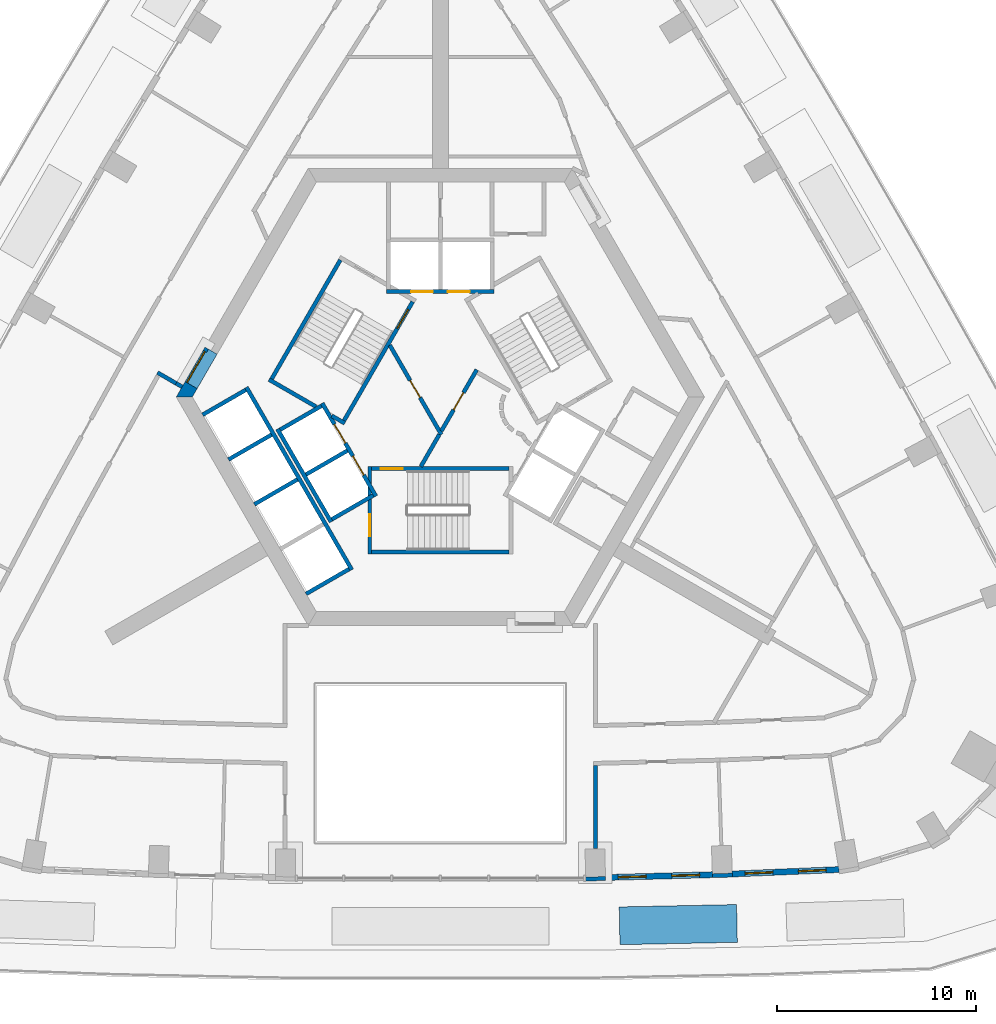
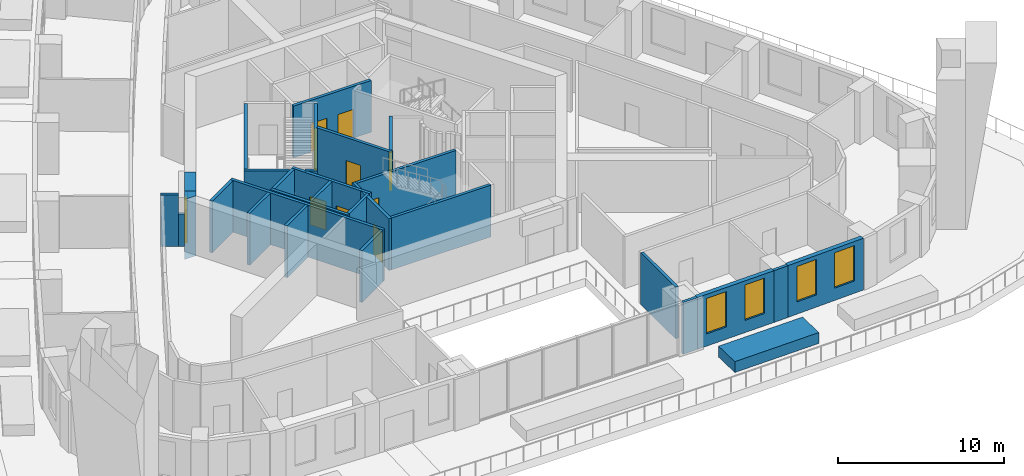
# One storey, part 5 of 13: 32 walls, 10 doors, 4 windows, 14 openings.
"""IFC4 building model written with IfcOpenShell, lengths in metres."""

from ifc_helpers import new_model, si_unit, direction, frame, frame_2d, origin, place, context, subcontext, project, spatial, polyline, rectangle, outline, extrude, material, layer, layer_set, type_object, element, fill, save


model = new_model("IFC4")

# Units and contexts
model_context = context("Model", 3, precision=1e-05, world=origin(), true_north=direction((0.0, 1.0)))
body_context = subcontext(model_context, "Body", "Model", "MODEL_VIEW")
ifc_project = project(units=[si_unit("LENGTHUNIT", "METRE"), si_unit("AREAUNIT", "SQUARE_METRE"), si_unit("VOLUMEUNIT", "CUBIC_METRE"), si_unit("PLANEANGLEUNIT", "RADIAN"), si_unit("MASSUNIT", "GRAM", prefix="KILO")], contexts=[model_context])

# Site, building, storey
site_placement = place(None, origin())
site = spatial("IfcSite", under=ifc_project, at=site_placement, CompositionType="ELEMENT")
building_placement = place(site_placement, origin())
building = spatial("IfcBuilding", under=site, at=building_placement, Name="Entoto Arch Interchange Tower", CompositionType="ELEMENT")
storey_placement = place(building_placement, frame((0.0, 0.0, 189.800048828125)))
storey = spatial("IfcBuildingStorey", under=building, at=storey_placement, Name="L42", CompositionType="ELEMENT", Elevation=189.800048828125)

# Wall, opening, door
ifc_material_1 = material(Name="Reinforced concrete C40/50", Category="concrete")
ifc_layer_1 = layer(ifc_material_1, 0.199951171875)
ifc_layer_set_1 = layer_set([ifc_layer_1], Name="Reinforced concrete C40/50")
wall_type_1 = type_object("IfcWallType", Name="CORE GAP INFILL WALL", PredefinedType="PARTITIONING", material=ifc_layer_set_1)
wall_1_placement = place(storey_placement, frame((-11.7470703125, 4.951904296875, 0.0), z_axis=(0.0, 0.0, 1.0), x_axis=(-0.50002537861, -0.866010750942, 0.0)))
wall_1 = element("IfcWall", 1, at=wall_1_placement, inside=storey, type_object=wall_type_1, Name="wall:L42:gap3", PredefinedType="PARTITIONING", context=body_context, shape_type="SweptSolid", body=[
    extrude(rectangle(XDim=2.0, YDim=0.199951171875, at=frame_2d((1.0, 0.0))), origin(), (0.0, 0.0, 1.0), 2.39990234375),
])
opening_1_placement = place(wall_1_placement, frame((0.18994140625, 0.0, 0.0)))
opening_1 = element("IfcOpeningElement", 2, at=opening_1_placement, cuts=wall_1, Name="Opening L42-D93", PredefinedType="OPENING", context=body_context, shape_type="SweptSolid", body=[
    extrude(rectangle(XDim=1.800048828125, YDim=2.10009765625, at=frame_2d((0.89990234375, 1.050048828125))), frame((0.0, 0.10986328125, 0.0), z_axis=(0.0, -1.0, 0.0), x_axis=(1.0, 0.0, 0.0)), (0.0, 0.0, 1.0), 0.219970703125),
])
ifc_material_2 = material(Name="Fire-rated Steel S235 door and frame", Category="steel")
door_type_1 = type_object("IfcDoorType", Name="DOOR FD-18 1800x2100", OperationType="DOUBLE_DOOR_SINGLE_SWING", PredefinedType="DOOR", material=ifc_material_2)
door_1_placement = place(opening_1_placement, origin())
door_1 = element("IfcDoor", 3, at=door_1_placement, inside=storey, type_object=door_type_1, Name="door:L42:gap3", OperationType="DOUBLE_DOOR_SINGLE_SWING", OverallHeight=2.10009765625, OverallWidth=1.800048828125, PredefinedType="DOOR", context=body_context, shape_type="SweptSolid", body=[
    extrude(rectangle(XDim=1.800048828125, YDim=2.10009765625, at=frame_2d((0.89990234375, 1.050048828125))), frame((0.0, 0.02490234375, 0.0), z_axis=(0.0, -1.0, 0.0), x_axis=(1.0, 0.0, 0.0)), (0.0, 0.0, 1.0), 0.050048828125),
])
fill(opening_1, door_1)

# Walls
ifc_material_3 = material(Name="Concrete C50/60", Category="concrete")
ifc_layer_2 = layer(ifc_material_3, 0.699951171875)
ifc_layer_set_2 = layer_set([ifc_layer_2], Name="Concrete C50/60")
wall_type_2 = type_object("IfcWallType", Name="Core wall 700 C50/60", PredefinedType="SHEAR", material=ifc_layer_set_2)
wall_2_placement = place(storey_placement, frame((0.0, 0.0, -0.60009765625)))
element("IfcWall", 4, at=wall_2_placement, inside=storey, type_object=wall_type_2, Name="Core wall NW L42", PredefinedType="SHEAR", context=body_context, shape_type="SweptSolid", body=[
    extrude(outline(polyline([(-12.22802734375, 2.919921875), (-12.833984375, 3.27001953125), (-13.279052734375, 2.5), (-12.470947265625, 2.5), (-12.22802734375, 2.919921875)])), origin(), (0.0, 0.0, 1.0), 4.400146484375),
])
wall_3_placement = place(storey_placement, frame((0.0, 0.0, 3.599853515625)))
element("IfcWall", 5, at=wall_3_placement, inside=storey, type_object=wall_type_2, Name="Core wall lintel NW L42", PredefinedType="SHEAR", context=body_context, shape_type="SweptSolid", body=[
    extrude(outline(polyline([(-12.833984375, 3.27001953125), (-12.22802734375, 2.919921875), (-11.22802734375, 4.652099609375), (-11.833984375, 5.001953125), (-12.833984375, 3.27001953125)])), origin(), (0.0, 0.0, 1.0), 0.2001953125),
])

# Wall, openings, doors
ifc_material_4 = material(Name="Concrete C40/50", Category="concrete")
ifc_layer_3 = layer(ifc_material_4, 0.199951171875)
ifc_layer_set_3 = layer_set([ifc_layer_3], Name="Concrete C40/50")
wall_type_3 = type_object("IfcWallType", Name="LIFT SHAFT WALL 200", PredefinedType="STANDARD", material=ifc_layer_set_3)
wall_4_placement = place(storey_placement, frame((2.699951171875, 7.800048828125, 0.0), z_axis=(0.0, 0.0, 1.0), x_axis=(-1.0, 0.0, 0.0)))
wall_4 = element("IfcWall", 6, at=wall_4_placement, inside=storey, type_object=wall_type_3, Name="Shaft wall N1 front", PredefinedType="STANDARD", context=body_context, shape_type="SweptSolid", body=[
    extrude(rectangle(XDim=5.39990234375, YDim=0.199951171875, at=frame_2d((2.699951171875, 0.0))), origin(), (0.0, 0.0, 1.0), 3.800048828125),
])
opening_2_placement = place(wall_4_placement, frame((1.22509765625, 0.0, 0.0)))
opening_2 = element("IfcOpeningElement", 7, at=opening_2_placement, cuts=wall_4, Name="Opening LD-HR1-L42", PredefinedType="OPENING", context=body_context, shape_type="SweptSolid", body=[
    extrude(rectangle(XDim=1.10009765625, YDim=2.10009765625, at=frame_2d((0.550048828125, 1.050048828125))), frame((0.0, 0.10986328125, 0.0), z_axis=(0.0, -1.0, 0.0), x_axis=(1.0, 0.0, 0.0)), (0.0, 0.0, 1.0), 0.219970703125),
])
opening_3_placement = place(wall_4_placement, frame((3.074951171875, 0.0, 0.0)))
opening_3 = element("IfcOpeningElement", 8, at=opening_3_placement, cuts=wall_4, Name="Opening LD-HR2-L42", PredefinedType="OPENING", context=body_context, shape_type="SweptSolid", body=[
    extrude(rectangle(XDim=1.10009765625, YDim=2.10009765625, at=frame_2d((0.550048828125, 1.050048828125))), frame((0.0, 0.10986328125, 0.0), z_axis=(0.0, -1.0, 0.0), x_axis=(1.0, 0.0, 0.0)), (0.0, 0.0, 1.0), 0.219970703125),
])
ifc_material_5 = material(Name="Stainless steel 1.4301 panels", Category="steel")
door_type_2 = type_object("IfcDoorType", Name="LIFT LANDING DOOR LD1 1100x2100", OperationType="SLIDING_TO_LEFT", PredefinedType="DOOR", material=ifc_material_5)
door_2_placement = place(opening_2_placement, origin())
door_2 = element("IfcDoor", 9, at=door_2_placement, inside=storey, type_object=door_type_2, Name="Lift landing door HR1 L42", OperationType="SLIDING_TO_LEFT", OverallHeight=2.10009765625, OverallWidth=1.10009765625, PredefinedType="DOOR", context=body_context, shape_type="SweptSolid", body=[
    extrude(rectangle(XDim=1.10009765625, YDim=2.10009765625, at=frame_2d((0.550048828125, 1.050048828125))), frame((0.0, 0.02490234375, 0.0), z_axis=(0.0, -1.0, 0.0), x_axis=(1.0, 0.0, 0.0)), (0.0, 0.0, 1.0), 0.050048828125),
])
fill(opening_2, door_2)
door_3_placement = place(opening_3_placement, origin())
door_3 = element("IfcDoor", 10, at=door_3_placement, inside=storey, type_object=door_type_2, Name="Lift landing door HR2 L42", OperationType="SLIDING_TO_LEFT", OverallHeight=2.10009765625, OverallWidth=1.10009765625, PredefinedType="DOOR", context=body_context, shape_type="SweptSolid", body=[
    extrude(rectangle(XDim=1.10009765625, YDim=2.10009765625, at=frame_2d((0.550048828125, 1.050048828125))), frame((0.0, 0.02490234375, 0.0), z_axis=(0.0, -1.0, 0.0), x_axis=(1.0, 0.0, 0.0)), (0.0, 0.0, 1.0), 0.050048828125),
])
fill(opening_3, door_3)

wall_5_placement = place(storey_placement, frame((-5.93994140625, 2.18798828125, 0.0), z_axis=(0.0, 0.0, 1.0), x_axis=(0.500034260056, -0.866005622828, 0.0)))
wall_5 = element("IfcWall", 11, at=wall_5_placement, inside=storey, type_object=wall_type_3, Name="Shaft wall SW1 front", PredefinedType="STANDARD", context=body_context, shape_type="SweptSolid", body=[
    extrude(rectangle(XDim=5.3994140625, YDim=0.199951171875, at=frame_2d((2.69970703125, 0.0))), origin(), (0.0, 0.0, 1.0), 3.800048828125),
])
opening_4_placement = place(wall_5_placement, frame((3.074951171875, 0.0, 0.0)))
opening_4 = element("IfcOpeningElement", 12, at=opening_4_placement, cuts=wall_5, Name="Opening LD-HR4-L42", PredefinedType="OPENING", context=body_context, shape_type="SweptSolid", body=[
    extrude(rectangle(XDim=1.10009765625, YDim=2.10009765625, at=frame_2d((0.550048828125, 1.050048828125))), frame((0.0, 0.10986328125, 0.0), z_axis=(0.0, -1.0, 0.0), x_axis=(1.0, 0.0, 0.0)), (0.0, 0.0, 1.0), 0.219970703125),
])
opening_5_placement = place(wall_5_placement, frame((1.22509765625, 0.0, 0.0)))
opening_5 = element("IfcOpeningElement", 13, at=opening_5_placement, cuts=wall_5, Name="Opening LD-FF2-L42", PredefinedType="OPENING", context=body_context, shape_type="SweptSolid", body=[
    extrude(rectangle(XDim=1.10009765625, YDim=2.10009765625, at=frame_2d((0.550048828125, 1.050048828125))), frame((0.0, 0.10986328125, 0.0), z_axis=(0.0, -1.0, 0.0), x_axis=(1.0, 0.0, 0.0)), (0.0, 0.0, 1.0), 0.219970703125),
])
door_4_placement = place(opening_4_placement, origin())
door_4 = element("IfcDoor", 14, at=door_4_placement, inside=storey, type_object=door_type_2, Name="Lift landing door HR4 L42", OperationType="SLIDING_TO_LEFT", OverallHeight=2.10009765625, OverallWidth=1.10009765625, PredefinedType="DOOR", context=body_context, shape_type="SweptSolid", body=[
    extrude(rectangle(XDim=1.10009765625, YDim=2.10009765625, at=frame_2d((0.550048828125, 1.050048828125))), frame((0.0, 0.02490234375, 0.0), z_axis=(0.0, -1.0, 0.0), x_axis=(1.0, 0.0, 0.0)), (0.0, 0.0, 1.0), 0.050048828125),
])
fill(opening_4, door_4)
door_5_placement = place(opening_5_placement, origin())
door_5 = element("IfcDoor", 15, at=door_5_placement, inside=storey, type_object=door_type_2, Name="Lift landing door FF2 L42", OperationType="SLIDING_TO_LEFT", OverallHeight=2.10009765625, OverallWidth=1.10009765625, PredefinedType="DOOR", context=body_context, shape_type="SweptSolid", body=[
    extrude(rectangle(XDim=1.10009765625, YDim=2.10009765625, at=frame_2d((0.550048828125, 1.050048828125))), frame((0.0, 0.02490234375, 0.0), z_axis=(0.0, -1.0, 0.0), x_axis=(1.0, 0.0, 0.0)), (0.0, 0.0, 1.0), 0.050048828125),
])
fill(opening_5, door_5)

# Walls
wall_6_placement = place(storey_placement, frame((-8.19189453125, 0.887939453125, 0.0), z_axis=(0.0, 0.0, 1.0), x_axis=(0.500034260056, -0.866005622828, 0.0)))
element("IfcWall", 16, at=wall_6_placement, inside=storey, type_object=wall_type_3, Name="Shaft wall SW1 back", PredefinedType="STANDARD", context=body_context, shape_type="SweptSolid", body=[
    extrude(rectangle(XDim=5.3994140625, YDim=0.199951171875, at=frame_2d((2.69970703125, 0.0))), origin(), (0.0, 0.0, 1.0), 3.800048828125),
])
for number, where, z_axis, x_axis, name in (
    (17, (-5.97705078125, 2.052001953125, 0.0), (0.0, 0.0, 1.0), (-0.865973769406, -0.500089422704, 0.0), "Shaft wall SW1 cross 1"),
    (18, (-4.677001953125, -0.199951171875, 0.0), (0.0, 0.0, 1.0), (-0.865973769406, -0.500089422704, 0.0), "Shaft wall SW1 cross 2"),
):
    element("IfcWall", number, at=place(storey_placement, frame(where, z_axis=z_axis, x_axis=x_axis)), inside=storey, type_object=wall_type_3, Name=name, PredefinedType="STANDARD", context=body_context, shape_type="SweptSolid", body=[
        extrude(rectangle(XDim=2.3994140625, YDim=0.199951171875, at=frame_2d((1.19970703125, 0.0))), origin(), (0.0, 0.0, 1.0), 3.800048828125),
    ])
wall_7_placement = place(storey_placement, frame((-3.376953125, -2.451904296875, 0.0), z_axis=(0.0, 0.0, 1.0), x_axis=(-0.865955154139, -0.50012165622, 0.0)))
element("IfcWall", 19, at=wall_7_placement, inside=storey, type_object=wall_type_3, Name="Shaft wall SW1 cross 3", PredefinedType="STANDARD", context=body_context, shape_type="SweptSolid", body=[
    extrude(rectangle(XDim=2.39990234375, YDim=0.199951171875, at=frame_2d((1.199951171875, 0.0))), origin(), (0.0, 0.0, 1.0), 3.800048828125),
])
wall_8_placement = place(storey_placement, frame((-9.7509765625, 2.989990234375, 0.0), z_axis=(0.0, 0.0, 1.0), x_axis=(0.50000090737, -0.866024879913, 0.0)))
element("IfcWall", 20, at=wall_8_placement, inside=storey, type_object=wall_type_3, Name="Shaft wall SW3 front", PredefinedType="STANDARD", context=body_context, shape_type="SweptSolid", body=[
    extrude(rectangle(XDim=10.60009765625, YDim=0.199951171875, at=frame_2d((5.300048828125, 0.0))), origin(), (0.0, 0.0, 1.0), 3.800048828125),
])
wall_9_placement = place(storey_placement, frame((-9.7880859375, 2.85302734375, 0.0), z_axis=(0.0, 0.0, 1.0), x_axis=(-0.865998541277, -0.500046524342, 0.0)))
element("IfcWall", 21, at=wall_9_placement, inside=storey, type_object=wall_type_3, Name="Shaft wall SW3 cross 1", PredefinedType="STANDARD", context=body_context, shape_type="SweptSolid", body=[
    extrude(rectangle(XDim=2.499755859375, YDim=0.199951171875, at=frame_2d((1.25, 0.0))), origin(), (0.0, 0.0, 1.0), 3.800048828125),
])
for number, where, z_axis, x_axis, name in (
    (22, (-8.488037109375, 0.60205078125, 0.0), (0.0, 0.0, 1.0), (-0.866022959057, -0.500004234368, 0.0), "Shaft wall SW3 cross 2"),
    (23, (-7.18798828125, -1.64990234375, 0.0), (0.0, 0.0, 1.0), (-0.866022959057, -0.500004234368, 0.0), "Shaft wall SW3 cross 3"),
    (24, (-4.587890625, -6.153076171875, 0.0), (0.0, 0.0, 1.0), (-0.866022959057, -0.500004234368, 0.0), "Shaft wall SW3 cross 5"),
):
    element("IfcWall", number, at=place(storey_placement, frame(where, z_axis=z_axis, x_axis=x_axis)), inside=storey, type_object=wall_type_3, Name=name, PredefinedType="STANDARD", context=body_context, shape_type="SweptSolid", body=[
        extrude(rectangle(XDim=2.5, YDim=0.199951171875, at=frame_2d((1.25, 0.0))), origin(), (0.0, 0.0, 1.0), 3.800048828125),
    ])
ifc_material_6 = material(Name="Gypsum board partition on steel studs", Category="steel")
ifc_layer_4 = layer(ifc_material_6, 0.199951171875)
ifc_layer_set_4 = layer_set([ifc_layer_4], Name="Gypsum board partition on steel studs")
wall_type_4 = type_object("IfcWallType", Name="PARTITION 200", PredefinedType="PARTITIONING", material=ifc_layer_set_4)
wall_10_placement = place(storey_placement, frame((-12.98388671875, 3.010009765625, 0.0), z_axis=(0.0, 0.0, 1.0), x_axis=(-0.866046247233, 0.49996389635, 0.0)))
element("IfcWall", 25, at=wall_10_placement, inside=storey, type_object=wall_type_4, Name="wall:L42:p033", PredefinedType="PARTITIONING", context=body_context, shape_type="SweptSolid", body=[
    extrude(rectangle(XDim=0.35009765625, YDim=0.199951171875, at=frame_2d((0.175048828125, 0.0))), origin(), (0.0, 0.0, 1.0), 2.39990234375),
])
wall_11_placement = place(storey_placement, frame((-0.98193359375, -1.0, 0.0), z_axis=(0.0, 0.0, 1.0), x_axis=(0.50024047865, 0.865886518847, 0.0)))
element("IfcWall", 26, at=wall_11_placement, inside=storey, type_object=wall_type_4, Name="wall:L42:p082", PredefinedType="PARTITIONING", context=body_context, shape_type="SweptSolid", body=[
    extrude(rectangle(XDim=1.86279296875, YDim=0.199951171875, at=frame_2d((0.931396484375, 0.0))), origin(), (0.0, 0.0, 1.0), 3.800048828125),
])

# Wall, opening, door
wall_12_placement = place(storey_placement, frame((0.050048828125, 0.787109375, 0.0), z_axis=(0.0, 0.0, 1.0), x_axis=(0.499954076797, 0.866051915934, 0.0)))
wall_12 = element("IfcWall", 27, at=wall_12_placement, inside=storey, type_object=wall_type_4, Name="wall:L42:p083", PredefinedType="PARTITIONING", context=body_context, shape_type="SweptSolid", body=[
    extrude(rectangle(XDim=3.558349609375, YDim=0.199951171875, at=frame_2d((1.779296875, 0.0))), origin(), (0.0, 0.0, 1.0), 3.800048828125),
])
opening_6_placement = place(wall_12_placement, frame((1.22900390625, 0.0, 0.0)))
opening_6 = element("IfcOpeningElement", 28, at=opening_6_placement, cuts=wall_12, Name="Opening L42-D28", PredefinedType="OPENING", context=body_context, shape_type="SweptSolid", body=[
    extrude(rectangle(XDim=1.0, YDim=2.10009765625, at=frame_2d((0.5, 1.050048828125))), frame((0.0, 0.10986328125, 0.0), z_axis=(0.0, -1.0, 0.0), x_axis=(1.0, 0.0, 0.0)), (0.0, 0.0, 1.0), 0.219970703125),
])
door_type_3 = type_object("IfcDoorType", Name="DOOR FD-10 1000x2100", OperationType="SINGLE_SWING_LEFT", PredefinedType="DOOR", material=ifc_material_2)
door_6_placement = place(opening_6_placement, origin())
door_6 = element("IfcDoor", 29, at=door_6_placement, inside=storey, type_object=door_type_3, Name="door:L42:28", OperationType="SINGLE_SWING_RIGHT", OverallHeight=2.10009765625, OverallWidth=1.0, PredefinedType="DOOR", context=body_context, shape_type="SweptSolid", body=[
    extrude(rectangle(XDim=1.0, YDim=2.10009765625, at=frame_2d((0.5, 1.050048828125))), frame((0.0, 0.02490234375, 0.0), z_axis=(0.0, -1.0, 0.0), x_axis=(1.0, 0.0, 0.0)), (0.0, 0.0, 1.0), 0.050048828125),
])
fill(opening_6, door_6)

wall_13_placement = place(storey_placement, frame((-2.5400390625, 5.10009765625, 0.0), z_axis=(0.0, 0.0, 1.0), x_axis=(0.499925051871, -0.866068670783, 0.0)))
wall_13 = element("IfcWall", 30, at=wall_13_placement, inside=storey, type_object=wall_type_4, Name="wall:L42:p093", PredefinedType="PARTITIONING", context=body_context, shape_type="SweptSolid", body=[
    extrude(rectangle(XDim=5.180908203125, YDim=0.199951171875, at=frame_2d((2.59033203125, 0.0))), origin(), (0.0, 0.0, 1.0), 3.800048828125),
])
opening_7_placement = place(wall_13_placement, frame((2.0400390625, 0.0, 0.0)))
opening_7 = element("IfcOpeningElement", 31, at=opening_7_placement, cuts=wall_13, Name="Opening L42-D29", PredefinedType="OPENING", context=body_context, shape_type="SweptSolid", body=[
    extrude(rectangle(XDim=1.0, YDim=2.10009765625, at=frame_2d((0.5, 1.050048828125))), frame((0.0, 0.10986328125, 0.0), z_axis=(0.0, -1.0, 0.0), x_axis=(1.0, 0.0, 0.0)), (0.0, 0.0, 1.0), 0.219970703125),
])
door_7_placement = place(opening_7_placement, origin())
door_7 = element("IfcDoor", 32, at=door_7_placement, inside=storey, type_object=door_type_3, Name="door:L42:29", OperationType="SINGLE_SWING_RIGHT", OverallHeight=2.10009765625, OverallWidth=1.0, PredefinedType="DOOR", context=body_context, shape_type="SweptSolid", body=[
    extrude(rectangle(XDim=1.0, YDim=2.10009765625, at=frame_2d((0.5, 1.050048828125))), frame((0.0, 0.02490234375, 0.0), z_axis=(0.0, -1.0, 0.0), x_axis=(1.0, 0.0, 0.0)), (0.0, 0.0, 1.0), 0.050048828125),
])
fill(opening_7, door_7)

# Walls
wall_14_placement = place(storey_placement, frame((7.800048828125, -16.02490234375, 0.0), z_axis=(0.0, 0.0, 1.0), x_axis=(0.0, -1.0, 0.0)))
element("IfcWall", 33, at=wall_14_placement, inside=storey, type_object=wall_type_4, Name="wall:L42:p097", PredefinedType="PARTITIONING", context=body_context, shape_type="SweptSolid", body=[
    extrude(rectangle(XDim=4.18212890625, YDim=0.199951171875, at=frame_2d((2.091064453125, 0.0))), origin(), (0.0, 0.0, 1.0), 3.800048828125),
])
wall_15_placement = place(storey_placement, frame((-13.287109375, 3.18505859375, 0.0), z_axis=(0.0, 0.0, 1.0), x_axis=(-0.866121626761, 0.499833299868, 0.0)))
element("IfcWall", 34, at=wall_15_placement, inside=storey, type_object=wall_type_4, Name="wall:L42:p033", PredefinedType="PARTITIONING", context=body_context, shape_type="SweptSolid", body=[
    extrude(rectangle(XDim=1.080322265625, YDim=0.199951171875, at=frame_2d((0.5400390625, 0.0))), origin(), (0.0, 0.0, 1.0), 3.800048828125),
])
ifc_material_7 = material(Name="Board-marked precast concrete C50/60", Category="concrete")
ifc_layer_5 = layer(ifc_material_7, 1.89990234375)
ifc_layer_set_5 = layer_set([ifc_layer_5], Name="Board-marked precast concrete C50/60")
wall_type_5 = type_object("IfcWallType", Name="PLANTER RC 1900 Vachellia abyssinica", PredefinedType="STANDARD", material=ifc_layer_set_5)
wall_16_placement = place(storey_placement, frame((9.010986328125, -24.092041015625, 0.0), z_axis=(0.0, 0.0, 1.0), x_axis=(0.999796389429, 0.020178693827, 0.0)))
element("IfcWall", 35, at=wall_16_placement, inside=storey, type_object=wall_type_5, Name="Terrace planter S-04 L42", PredefinedType="STANDARD", context=body_context, shape_type="SweptSolid", body=[
    extrude(rectangle(XDim=5.904296875, YDim=1.89990234375, at=frame_2d((2.9521484375, 0.0))), origin(), (0.0, 0.0, 1.0), 0.800048828125),
])

# Wall, opening, door
ifc_layer_6 = layer(ifc_material_4, 0.199951171875)
ifc_layer_set_6 = layer_set([ifc_layer_6], Name="Concrete C40/50")
wall_type_6 = type_object("IfcWallType", Name="STAIR ENCLOSURE WALL 200", PredefinedType="STANDARD", material=ifc_layer_set_6)
wall_17_placement = place(storey_placement, frame((-3.550048828125, -1.0, 0.0), z_axis=(0.0, 0.0, 1.0), x_axis=(0.0, -1.0, 0.0)))
wall_17 = element("IfcWall", 36, at=wall_17_placement, inside=storey, type_object=wall_type_6, Name="Stair wall ST-S near", PredefinedType="STANDARD", context=body_context, shape_type="SweptSolid", body=[
    extrude(rectangle(XDim=4.39990234375, YDim=0.199951171875, at=frame_2d((2.199951171875, 0.0))), origin(), (0.0, 0.0, 1.0), 3.800048828125),
])
opening_8_placement = place(wall_17_placement, frame((2.39990234375, 0.0, 0.0)))
opening_8 = element("IfcOpeningElement", 37, at=opening_8_placement, cuts=wall_17, Name="Opening SD-ST-S-L42-E", PredefinedType="OPENING", context=body_context, shape_type="SweptSolid", body=[
    extrude(rectangle(XDim=1.10009765625, YDim=2.199951171875, at=frame_2d((0.550048828125, 1.10009765625))), frame((0.0, 0.10986328125, 0.0), z_axis=(0.0, -1.0, 0.0), x_axis=(1.0, 0.0, 0.0)), (0.0, 0.0, 1.0), 0.219970703125),
])
ifc_material_8 = material(Name="Steel S235", Category="steel")
door_type_4 = type_object("IfcDoorType", Name="STAIR DOOR SD1 1100x2200", OperationType="SINGLE_SWING_LEFT", PredefinedType="DOOR", material=ifc_material_8)
door_8_placement = place(opening_8_placement, origin())
door_8 = element("IfcDoor", 38, at=door_8_placement, inside=storey, type_object=door_type_4, Name="Stair door ST-S L42 end", OperationType="SINGLE_SWING_LEFT", OverallHeight=2.199951171875, OverallWidth=1.10009765625, PredefinedType="DOOR", context=body_context, shape_type="SweptSolid", body=[
    extrude(rectangle(XDim=1.10009765625, YDim=2.199951171875, at=frame_2d((0.550048828125, 1.10009765625))), frame((0.0, 0.02490234375, 0.0), z_axis=(0.0, -1.0, 0.0), x_axis=(1.0, 0.0, 0.0)), (0.0, 0.0, 1.0), 0.050048828125),
])
fill(opening_8, door_8)

wall_18_placement = place(storey_placement, frame((-3.449951171875, -1.10009765625, 0.0), z_axis=(0.0, 0.0, 1.0), x_axis=(1.0, 0.0, 0.0)))
wall_18 = element("IfcWall", 39, at=wall_18_placement, inside=storey, type_object=wall_type_6, Name="Stair wall ST-S hall", PredefinedType="STANDARD", context=body_context, shape_type="SweptSolid", body=[
    extrude(rectangle(XDim=6.89990234375, YDim=0.199951171875, at=frame_2d((3.449951171875, 0.0))), origin(), (0.0, 0.0, 1.0), 3.800048828125),
])
opening_9_placement = place(wall_18_placement, frame((0.449951171875, 0.0, 0.0)))
opening_9 = element("IfcOpeningElement", 40, at=opening_9_placement, cuts=wall_18, Name="Opening SD-ST-S-L42", PredefinedType="OPENING", context=body_context, shape_type="SweptSolid", body=[
    extrude(rectangle(XDim=1.10009765625, YDim=2.199951171875, at=frame_2d((0.550048828125, 1.10009765625))), frame((0.0, 0.10986328125, 0.0), z_axis=(0.0, -1.0, 0.0), x_axis=(1.0, 0.0, 0.0)), (0.0, 0.0, 1.0), 0.219970703125),
])
door_9_placement = place(opening_9_placement, origin())
door_9 = element("IfcDoor", 41, at=door_9_placement, inside=storey, type_object=door_type_4, Name="Stair door ST-S L42", OperationType="SINGLE_SWING_LEFT", OverallHeight=2.199951171875, OverallWidth=1.10009765625, PredefinedType="DOOR", context=body_context, shape_type="SweptSolid", body=[
    extrude(rectangle(XDim=1.10009765625, YDim=2.199951171875, at=frame_2d((0.550048828125, 1.10009765625))), frame((0.0, 0.02490234375, 0.0), z_axis=(0.0, -1.0, 0.0), x_axis=(1.0, 0.0, 0.0)), (0.0, 0.0, 1.0), 0.050048828125),
])
fill(opening_9, door_9)

# Walls
wall_19_placement = place(storey_placement, frame((-3.449951171875, -5.300048828125, 0.0), z_axis=(0.0, 0.0, 1.0), x_axis=(1.0, 0.0, 0.0)))
element("IfcWall", 42, at=wall_19_placement, inside=storey, type_object=wall_type_6, Name="Stair wall ST-S back", PredefinedType="STANDARD", context=body_context, shape_type="SweptSolid", body=[
    extrude(rectangle(XDim=6.89990234375, YDim=0.199951171875, at=frame_2d((3.449951171875, 0.0))), origin(), (0.0, 0.0, 1.0), 3.800048828125),
])
wall_20_placement = place(storey_placement, frame((-6.25, 2.010009765625, 0.0), z_axis=(0.0, 0.0, 1.0), x_axis=(-0.86611865017, 0.499838457731, 0.0)))
element("IfcWall", 43, at=wall_20_placement, inside=storey, type_object=wall_type_6, Name="Stair wall ST-NW far", PredefinedType="STANDARD", context=body_context, shape_type="SweptSolid", body=[
    extrude(rectangle(XDim=2.73291015625, YDim=0.199951171875, at=frame_2d((1.366455078125, 0.0))), origin(), (0.0, 0.0, 1.0), 3.800048828125),
])
wall_21_placement = place(storey_placement, frame((-4.805908203125, 1.176025390625, 0.0), z_axis=(0.0, 0.0, 1.0), x_axis=(-0.866558586415, 0.499075361355, 0.0)))
element("IfcWall", 44, at=wall_21_placement, inside=storey, type_object=wall_type_6, Name="Stair wall ST-NW far return", PredefinedType="STANDARD", context=body_context, shape_type="SweptSolid", body=[
    extrude(rectangle(XDim=0.75146484375, YDim=0.199951171875, at=frame_2d((0.375732421875, 0.0))), origin(), (0.0, 0.0, 1.0), 3.800048828125),
])

# Wall, opening, door
wall_22_placement = place(storey_placement, frame((-1.39306640625, 7.2880859375, 0.0), z_axis=(0.0, 0.0, 1.0), x_axis=(-0.499963383562, -0.866046543262, 0.0)))
wall_22 = element("IfcWall", 45, at=wall_22_placement, inside=storey, type_object=wall_type_6, Name="Stair wall ST-NW hall", PredefinedType="STANDARD", context=body_context, shape_type="SweptSolid", body=[
    extrude(rectangle(XDim=6.900390625, YDim=0.199951171875, at=frame_2d((3.4501953125, 0.0))), origin(), (0.0, 0.0, 1.0), 3.800048828125),
])
opening_10_placement = place(wall_22_placement, frame((0.449951171875, 0.0, 0.0)))
opening_10 = element("IfcOpeningElement", 46, at=opening_10_placement, cuts=wall_22, Name="Opening SD-ST-NW-L42", PredefinedType="OPENING", context=body_context, shape_type="SweptSolid", body=[
    extrude(rectangle(XDim=1.10009765625, YDim=2.199951171875, at=frame_2d((0.550048828125, 1.10009765625))), frame((0.0, 0.10986328125, 0.0), z_axis=(0.0, -1.0, 0.0), x_axis=(1.0, 0.0, 0.0)), (0.0, 0.0, 1.0), 0.219970703125),
])
door_10_placement = place(opening_10_placement, origin())
door_10 = element("IfcDoor", 47, at=door_10_placement, inside=storey, type_object=door_type_4, Name="Stair door ST-NW L42", OperationType="SINGLE_SWING_LEFT", OverallHeight=2.199951171875, OverallWidth=1.10009765625, PredefinedType="DOOR", context=body_context, shape_type="SweptSolid", body=[
    extrude(rectangle(XDim=1.10009765625, YDim=2.199951171875, at=frame_2d((0.550048828125, 1.10009765625))), frame((0.0, 0.02490234375, 0.0), z_axis=(0.0, -1.0, 0.0), x_axis=(1.0, 0.0, 0.0)), (0.0, 0.0, 1.0), 0.050048828125),
])
fill(opening_10, door_10)

# Wall
wall_23_placement = place(storey_placement, frame((-5.030029296875, 9.387939453125, 0.0), z_axis=(0.0, 0.0, 1.0), x_axis=(-0.499978703459, -0.866037698999, 0.0)))
element("IfcWall", 48, at=wall_23_placement, inside=storey, type_object=wall_type_6, Name="Stair wall ST-NW back", PredefinedType="STANDARD", context=body_context, shape_type="SweptSolid", body=[
    extrude(rectangle(XDim=6.900146484375, YDim=0.199951171875, at=frame_2d((3.4501953125, 0.0))), origin(), (0.0, 0.0, 1.0), 3.800048828125),
])

# Wall, openings, windows
ifc_material_9 = material(Name="Welded tuff (ignimbrite) cladding, warm buff", Category="masonry")
ifc_layer_7 = layer(ifc_material_9, 0.300048828125)
ifc_layer_set_7 = layer_set([ifc_layer_7], Name="Welded tuff (ignimbrite) cladding, warm buff")
wall_type_7 = type_object("IfcWallType", Name="STONE INFILL WALL 300", PredefinedType="STANDARD", material=ifc_layer_set_7)
wall_24_placement = place(storey_placement, frame((8.297119140625, -21.6640625, 0.0), z_axis=(0.0, 0.0, 1.0), x_axis=(0.999651908676, 0.026382977093, 0.0)))
wall_24 = element("IfcWall", 49, at=wall_24_placement, inside=storey, type_object=wall_type_7, Name="Facade wall S-04 L42", PredefinedType="STANDARD", context=body_context, shape_type="SweptSolid", body=[
    extrude(rectangle(XDim=5.3857421875, YDim=0.300048828125, at=frame_2d((2.69287109375, 0.0))), origin(), (0.0, 0.0, 1.0), 3.800048828125),
])
opening_11_placement = place(wall_24_placement, frame((0.64599609375, 0.0, 0.89990234375)))
opening_11 = element("IfcOpeningElement", 50, at=opening_11_placement, cuts=wall_24, Name="Opening WO-B", PredefinedType="OPENING", context=body_context, shape_type="SweptSolid", body=[
    extrude(rectangle(XDim=1.39990234375, YDim=2.60009765625, at=frame_2d((0.699951171875, 1.300048828125))), frame((0.0, 0.16015625, 0.0), z_axis=(0.0, -1.0, 0.0), x_axis=(1.0, 0.0, 0.0)), (0.0, 0.0, 1.0), 0.320068359375),
])
opening_12_placement = place(wall_24_placement, frame((3.339111328125, 0.0, 0.89990234375)))
opening_12 = element("IfcOpeningElement", 51, at=opening_12_placement, cuts=wall_24, Name="Opening WO-B", PredefinedType="OPENING", context=body_context, shape_type="SweptSolid", body=[
    extrude(rectangle(XDim=1.39990234375, YDim=2.60009765625, at=frame_2d((0.699951171875, 1.300048828125))), frame((0.0, 0.16015625, 0.0), z_axis=(0.0, -1.0, 0.0), x_axis=(1.0, 0.0, 0.0)), (0.0, 0.0, 1.0), 0.320068359375),
])
ifc_material_10 = material(Name="Clear glass, low-e double glazed", Category="glass")
window_type = type_object("IfcWindowType", Name="WINDOW WO-B 1400x2600", PartitioningType="DOUBLE_PANEL_VERTICAL", PredefinedType="WINDOW", material=ifc_material_10)
window_1_placement = place(opening_11_placement, origin())
window_1 = element("IfcWindow", 52, at=window_1_placement, inside=storey, type_object=window_type, Name="Window WO-B S-04 L42", OverallHeight=2.60009765625, OverallWidth=1.39990234375, PartitioningType="SINGLE_PANEL", PredefinedType="WINDOW", context=body_context, shape_type="SweptSolid", body=[
    extrude(rectangle(XDim=1.39990234375, YDim=2.60009765625, at=frame_2d((0.699951171875, 1.300048828125))), frame((0.0, 0.030029296875, 0.0), z_axis=(0.0, -1.0, 0.0), x_axis=(1.0, 0.0, 0.0)), (0.0, 0.0, 1.0), 0.06005859375),
])
fill(opening_11, window_1)
window_2_placement = place(opening_12_placement, origin())
window_2 = element("IfcWindow", 53, at=window_2_placement, inside=storey, type_object=window_type, Name="Window WO-B S-04 L42", OverallHeight=2.60009765625, OverallWidth=1.39990234375, PartitioningType="SINGLE_PANEL", PredefinedType="WINDOW", context=body_context, shape_type="SweptSolid", body=[
    extrude(rectangle(XDim=1.39990234375, YDim=2.60009765625, at=frame_2d((0.699951171875, 1.300048828125))), frame((0.0, 0.030029296875, 0.0), z_axis=(0.0, -1.0, 0.0), x_axis=(1.0, 0.0, 0.0)), (0.0, 0.0, 1.0), 0.06005859375),
])
fill(opening_12, window_2)

wall_25_placement = place(storey_placement, frame((14.677978515625, -21.488037109375, 0.0), z_axis=(0.0, 0.0, 1.0), x_axis=(0.999127941775, 0.041753514387, 0.0)))
wall_25 = element("IfcWall", 54, at=wall_25_placement, inside=storey, type_object=wall_type_7, Name="Facade wall S-05 L42", PredefinedType="STANDARD", context=body_context, shape_type="SweptSolid", body=[
    extrude(rectangle(XDim=5.36767578125, YDim=0.300048828125, at=frame_2d((2.683837890625, 0.0))), origin(), (0.0, 0.0, 1.0), 3.800048828125),
])
opening_13_placement = place(wall_25_placement, frame((0.64208984375, 0.0, 0.89990234375)))
opening_13 = element("IfcOpeningElement", 55, at=opening_13_placement, cuts=wall_25, Name="Opening WO-B", PredefinedType="OPENING", context=body_context, shape_type="SweptSolid", body=[
    extrude(rectangle(XDim=1.39990234375, YDim=2.60009765625, at=frame_2d((0.699951171875, 1.300048828125))), frame((0.0, 0.16015625, 0.0), z_axis=(0.0, -1.0, 0.0), x_axis=(1.0, 0.0, 0.0)), (0.0, 0.0, 1.0), 0.320068359375),
])
opening_14_placement = place(wall_25_placement, frame((3.325927734375, 0.0, 0.89990234375)))
opening_14 = element("IfcOpeningElement", 56, at=opening_14_placement, cuts=wall_25, Name="Opening WO-B", PredefinedType="OPENING", context=body_context, shape_type="SweptSolid", body=[
    extrude(rectangle(XDim=1.39990234375, YDim=2.60009765625, at=frame_2d((0.699951171875, 1.300048828125))), frame((0.0, 0.16015625, 0.0), z_axis=(0.0, -1.0, 0.0), x_axis=(1.0, 0.0, 0.0)), (0.0, 0.0, 1.0), 0.320068359375),
])
window_3_placement = place(opening_13_placement, origin())
window_3 = element("IfcWindow", 57, at=window_3_placement, inside=storey, type_object=window_type, Name="Window WO-B S-05 L42", OverallHeight=2.60009765625, OverallWidth=1.39990234375, PartitioningType="SINGLE_PANEL", PredefinedType="WINDOW", context=body_context, shape_type="SweptSolid", body=[
    extrude(rectangle(XDim=1.39990234375, YDim=2.60009765625, at=frame_2d((0.699951171875, 1.300048828125))), frame((0.0, 0.030029296875, 0.0), z_axis=(0.0, -1.0, 0.0), x_axis=(1.0, 0.0, 0.0)), (0.0, 0.0, 1.0), 0.06005859375),
])
fill(opening_13, window_3)
window_4_placement = place(opening_14_placement, origin())
window_4 = element("IfcWindow", 58, at=window_4_placement, inside=storey, type_object=window_type, Name="Window WO-B S-05 L42", OverallHeight=2.60009765625, OverallWidth=1.39990234375, PartitioningType="SINGLE_PANEL", PredefinedType="WINDOW", context=body_context, shape_type="SweptSolid", body=[
    extrude(rectangle(XDim=1.39990234375, YDim=2.60009765625, at=frame_2d((0.699951171875, 1.300048828125))), frame((0.0, 0.030029296875, 0.0), z_axis=(0.0, -1.0, 0.0), x_axis=(1.0, 0.0, 0.0)), (0.0, 0.0, 1.0), 0.06005859375),
])
fill(opening_14, window_4)

# Walls
ifc_layer_8 = layer(ifc_material_9, 0.199951171875)
ifc_layer_set_8 = layer_set([ifc_layer_8], Name="Welded tuff (ignimbrite) cladding, warm buff")
wall_type_8 = type_object("IfcWallType", Name="STONE PIER CLADDING 200", PredefinedType="STANDARD", material=ifc_layer_set_8)
wall_26_placement = place(storey_placement, frame((7.299072265625, -21.73388671875, 0.0), z_axis=(0.0, 0.0, 1.0), x_axis=(0.999903186316, 0.013914668364, 0.0)))
element("IfcWall", 59, at=wall_26_placement, inside=storey, type_object=wall_type_8, Name="Stone pier S04 L42", PredefinedType="STANDARD", context=body_context, shape_type="SweptSolid", body=[
    extrude(rectangle(XDim=1.0, YDim=0.199951171875, at=frame_2d((0.5, 0.0))), origin(), (0.0, 0.0, 1.0), 3.800048828125),
])
wall_27_placement = place(storey_placement, frame((13.681884765625, -21.575927734375, 0.0), z_axis=(0.0, 0.0, 1.0), x_axis=(0.999423561854, 0.033949138587, 0.0)))
element("IfcWall", 60, at=wall_27_placement, inside=storey, type_object=wall_type_8, Name="Stone pier S05 L42", PredefinedType="STANDARD", context=body_context, shape_type="SweptSolid", body=[
    extrude(rectangle(XDim=0.99951171875, YDim=0.199951171875, at=frame_2d((0.499755859375, 0.0))), origin(), (0.0, 0.0, 1.0), 3.800048828125),
])

save(model, "model.ifc")
